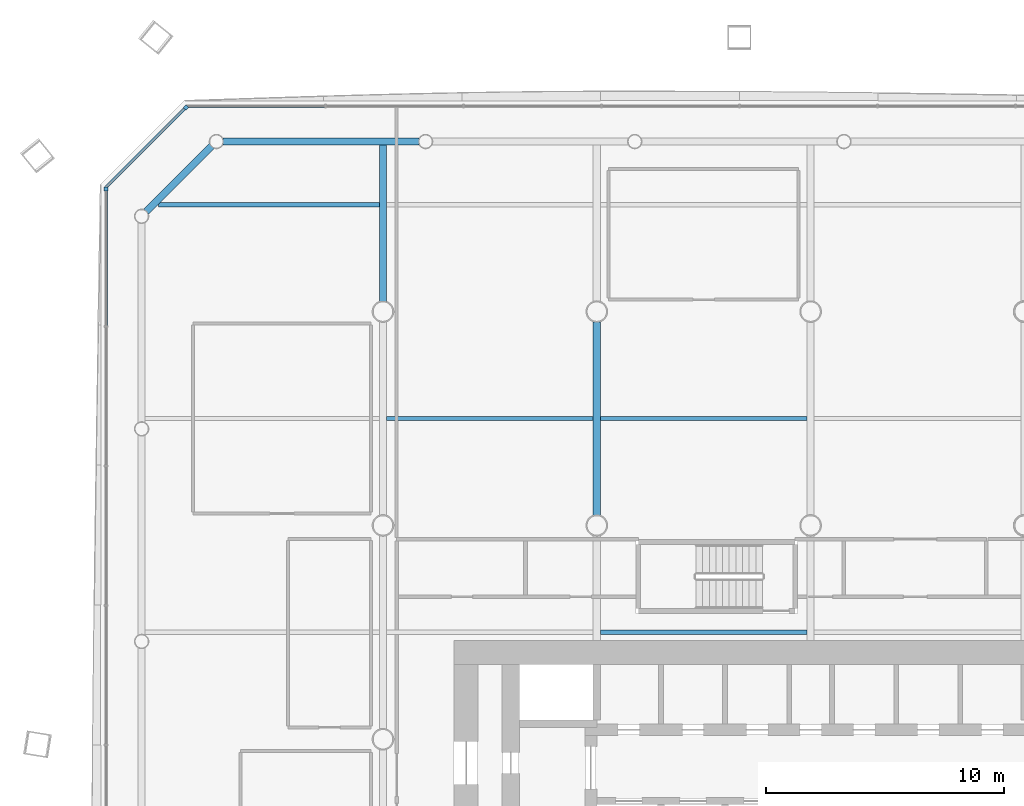
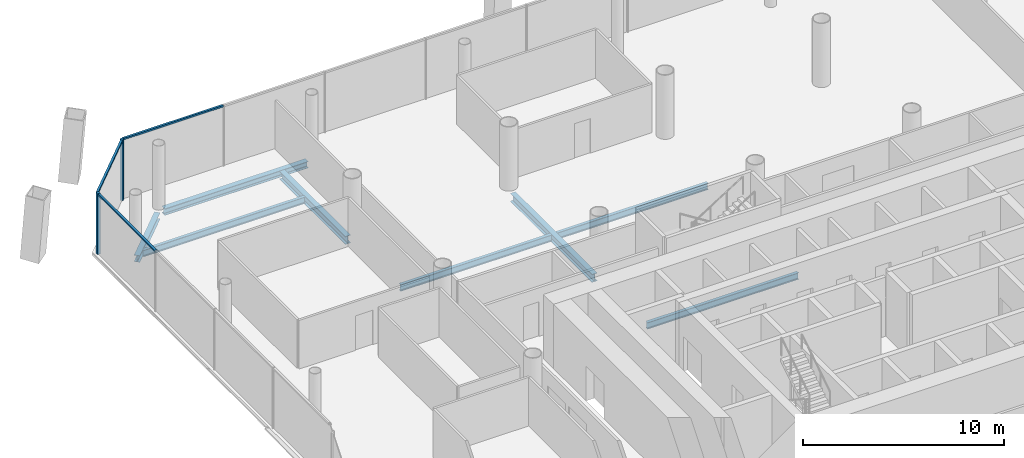
# One storey, part 8 of 21: 8 beams, 5 members, 3 elements without a shape of their own.
"""IFC4 building model written with IfcOpenShell, lengths in metres."""

from ifc_helpers import new_model, si_unit, direction, frame, origin, origin_2d, place, context, subcontext, project, spatial, rectangle, i_section, extrude, material, material_profile, profile_set, type_object, element, aggregate, save


model = new_model("IFC4")

# Units and contexts
model_context = context("Model", 3, precision=1e-05, world=origin(), true_north=direction((0.0, 1.0)))
body_context = subcontext(model_context, "Body", "Model", "MODEL_VIEW")
ifc_project = project(units=[si_unit("LENGTHUNIT", "METRE"), si_unit("AREAUNIT", "SQUARE_METRE"), si_unit("VOLUMEUNIT", "CUBIC_METRE"), si_unit("PLANEANGLEUNIT", "RADIAN"), si_unit("MASSUNIT", "GRAM", prefix="KILO")], contexts=[model_context])

# Site, building, storey
site_placement = place(None, origin())
site = spatial("IfcSite", under=ifc_project, at=site_placement, CompositionType="ELEMENT")
building_placement = place(site_placement, origin())
building = spatial("IfcBuilding", under=site, at=building_placement, Name="Tskaro Facet Tower", CompositionType="ELEMENT")
storey_placement = place(building_placement, frame((0.0, 0.0, 38.10009765625)))
storey = spatial("IfcBuildingStorey", under=building, at=storey_placement, Name="L08", CompositionType="ELEMENT", Elevation=38.10009765625)

# Curtain wall, member
ifc_material_1 = material(Name="Bronze anodised aluminium 6063-T6", Category="aluminium")
curtain_wall_type = type_object("IfcCurtainWallType", Name="Bronze office curtain wall (FW1)", PredefinedType="NOTDEFINED", material=ifc_material_1)
curtain_wall_1_placement = place(storey_placement, origin())
curtain_wall_1 = element("IfcCurtainWall", 1, at=curtain_wall_1_placement, inside=storey, type_object=curtain_wall_type, Name="FW1 north-west facet L08", PredefinedType="NOTDEFINED")
ifc_material_profile_1 = material_profile(ifc_material_1, rectangle(XDim=0.159912109375, YDim=0.159912109375, at=origin_2d()), Name="Corner post 160x160")
ifc_profile_set_1 = profile_set([ifc_material_profile_1], Name="Bronze anodised aluminium 6063-T6")
member_type_1 = type_object("IfcMemberType", Name="FW1 bronze corner post 160x160", PredefinedType="MULLION", material=ifc_profile_set_1)
member_1_placement = place(storey_placement, frame((-26.29150390625, 26.597412109375, 0.0), z_axis=(0.0, 0.0, 1.0), x_axis=(-0.707106781187, -0.707106781187, 0.0)))
member_1 = element("IfcMember", 2, at=member_1_placement, type_object=member_type_1, Name="FW1 north-west corner post", PredefinedType="MULLION", context=body_context, shape_type="SweptSolid", body=[
    extrude(rectangle(XDim=0.159912109375, YDim=0.159912109375, at=origin_2d()), origin(), (0.0, 0.0, 1.0), 3.699951171875),
])

curtain_wall_2_placement = place(storey_placement, origin())
curtain_wall_2 = element("IfcCurtainWall", 3, at=curtain_wall_2_placement, inside=storey, type_object=curtain_wall_type, Name="FW1 west facet L08", PredefinedType="NOTDEFINED")
member_2_placement = place(storey_placement, frame((-29.654052734375, 23.155029296875, 0.0), z_axis=(0.0, 0.0, 1.0), x_axis=(0.0, -1.0, 0.0)))
member_2 = element("IfcMember", 4, at=member_2_placement, type_object=member_type_1, Name="FW1 west corner post", PredefinedType="MULLION", context=body_context, shape_type="SweptSolid", body=[
    extrude(rectangle(XDim=0.159912109375, YDim=0.159912109375, at=origin_2d()), origin(), (0.0, 0.0, 1.0), 3.699951171875),
])

curtain_wall_3_placement = place(storey_placement, origin())
curtain_wall_3 = element("IfcCurtainWall", 5, at=curtain_wall_3_placement, inside=storey, type_object=curtain_wall_type, Name="FW1 north facet L08", PredefinedType="NOTDEFINED")
ifc_material_profile_2 = material_profile(ifc_material_1, rectangle(XDim=0.1201171875, YDim=0.10009765625, at=origin_2d()), Name="Transom 120x100")
ifc_profile_set_2 = profile_set([ifc_material_profile_2], Name="Bronze anodised aluminium 6063-T6")
member_type_2 = type_object("IfcMemberType", Name="FW1 bronze transom 120x100", PredefinedType="USERDEFINED", material=ifc_profile_set_2)
member_3_placement = place(storey_placement, frame((-20.456298828125, 26.654052734375, 3.64990234375), z_axis=(-1.0, 0.0, 0.0), x_axis=(0.0, -1.0, 0.0)))
member_3 = element("IfcMember", 6, at=member_3_placement, type_object=member_type_2, Name="FW1 north transom 8.1", ObjectType="TRANSOM", PredefinedType="USERDEFINED", context=body_context, shape_type="SweptSolid", body=[
    extrude(rectangle(XDim=0.1201171875, YDim=0.10009765625, at=origin_2d()), origin(), (0.0, 0.0, 1.0), 5.77880859375),
])
aggregate(curtain_wall_3, [member_3])

# Member
member_4_placement = place(storey_placement, frame((-26.34814453125, 26.540771484375, 3.64990234375), z_axis=(-0.707132891512, -0.707080669897, 0.0), x_axis=(0.707080669897, -0.707132891512, 0.0)))
member_4 = element("IfcMember", 7, at=member_4_placement, type_object=member_type_2, Name="FW1 north-west transom 1.1", ObjectType="TRANSOM", PredefinedType="USERDEFINED", context=body_context, shape_type="SweptSolid", body=[
    extrude(rectangle(XDim=0.1201171875, YDim=0.10009765625, at=origin_2d()), origin(), (0.0, 0.0, 1.0), 4.675048828125),
])

aggregate(curtain_wall_1, [member_1, member_4])

member_5_placement = place(storey_placement, frame((-29.654052734375, 23.074951171875, 3.64990234375), z_axis=(0.0, -1.0, 0.0), x_axis=(1.0, 0.0, 0.0)))
member_5 = element("IfcMember", 8, at=member_5_placement, type_object=member_type_2, Name="FW1 west transom 1.1", ObjectType="TRANSOM", PredefinedType="USERDEFINED", context=body_context, shape_type="SweptSolid", body=[
    extrude(rectangle(XDim=0.1201171875, YDim=0.10009765625, at=origin_2d()), origin(), (0.0, 0.0, 1.0), 5.678466796875),
])

aggregate(curtain_wall_2, [member_2, member_5])

# Beams
ifc_material_2 = material(Name="Steel S355J2", Category="steel")
ifc_material_profile_3 = material_profile(ifc_material_2, i_section(OverallWidth=0.300048828125, OverallDepth=0.39990234375, WebThickness=0.013427734375, FlangeThickness=0.02392578125, FilletRadius=0.027099609375, at=origin_2d()), Name="HE 400 B")
ifc_profile_set_3 = profile_set([ifc_material_profile_3], Name="Steel S355J2")
beam_type_1 = type_object("IfcBeamType", Name="HE 400 B ring beam", PredefinedType="BEAM", material=ifc_profile_set_3)
beam_1_placement = place(storey_placement, frame((-16.48193359375, 25.156982421875, -0.340087890625), z_axis=(-1.0, 0.0, 0.0), x_axis=(0.0, -1.0, 0.0)))
element("IfcBeam", 9, at=beam_1_placement, inside=storey, type_object=beam_type_1, Name="HE 400 B EB18-1", PredefinedType="BEAM", context=body_context, shape_type="SweptSolid", body=[
    extrude(i_section(OverallWidth=0.300048828125, OverallDepth=0.39990234375, WebThickness=0.013427734375, FlangeThickness=0.02392578125, FilletRadius=0.027099609375, at=origin_2d()), origin(), (0.0, 0.0, 1.0), 8.255126953125),
])
beam_2_placement = place(storey_placement, frame((-25.20654296875, 24.962646484375, -0.340087890625), z_axis=(-0.707106781187, -0.707106781187, 0.0), x_axis=(0.707106781187, -0.707106781187, 0.0)))
element("IfcBeam", 10, at=beam_2_placement, inside=storey, type_object=beam_type_1, Name="HE 400 B EB19-1", PredefinedType="BEAM", context=body_context, shape_type="SweptSolid", body=[
    extrude(i_section(OverallWidth=0.300048828125, OverallDepth=0.39990234375, WebThickness=0.013427734375, FlangeThickness=0.02392578125, FilletRadius=0.027099609375, at=origin_2d()), origin(), (0.0, 0.0, 1.0), 3.897705078125),
])
ifc_material_profile_4 = material_profile(ifc_material_2, i_section(OverallWidth=0.300048828125, OverallDepth=0.489990234375, WebThickness=0.011962890625, FlangeThickness=0.02294921875, FilletRadius=0.027099609375, at=origin_2d()), Name="HE 500 A")
ifc_profile_set_4 = profile_set([ifc_material_profile_4], Name="Steel S355J2")
beam_type_2 = type_object("IfcBeamType", Name="HE 500 A girder", PredefinedType="BEAM", material=ifc_profile_set_4)
beam_3_placement = place(storey_placement, frame((-18.0, 18.42724609375, -0.385009765625), z_axis=(0.0, 1.0, 0.0), x_axis=(-1.0, 0.0, 0.0)))
element("IfcBeam", 11, at=beam_3_placement, inside=storey, type_object=beam_type_2, Name="HE 500 A GB2-6-1", PredefinedType="BEAM", context=body_context, shape_type="SweptSolid", body=[
    extrude(i_section(OverallWidth=0.300048828125, OverallDepth=0.489990234375, WebThickness=0.011962890625, FlangeThickness=0.02294921875, FilletRadius=0.027099609375, at=origin_2d()), origin(), (0.0, 0.0, 1.0), 6.579833984375),
])
beam_4_placement = place(storey_placement, frame((-9.0, 9.42724609375, -0.385009765625), z_axis=(0.0, 1.0, 0.0), x_axis=(-1.0, 0.0, 0.0)))
element("IfcBeam", 12, at=beam_4_placement, inside=storey, type_object=beam_type_2, Name="HE 500 A GB3-4-1", PredefinedType="BEAM", context=body_context, shape_type="SweptSolid", body=[
    extrude(i_section(OverallWidth=0.300048828125, OverallDepth=0.489990234375, WebThickness=0.011962890625, FlangeThickness=0.02294921875, FilletRadius=0.027099609375, at=origin_2d()), origin(), (0.0, 0.0, 1.0), 8.1455078125),
])
ifc_material_profile_5 = material_profile(ifc_material_2, i_section(OverallWidth=0.179931640625, OverallDepth=0.39990234375, WebThickness=0.008544921875, FlangeThickness=0.013427734375, FilletRadius=0.02099609375, at=origin_2d()), Name="IPE 400")
ifc_profile_set_5 = profile_set([ifc_material_profile_5], Name="Steel S355J2")
beam_type_3 = type_object("IfcBeamType", Name="IPE 400 secondary beam", PredefinedType="BEAM", material=ifc_profile_set_5)
for number, where, z_axis, x_axis, name in (
    (13, (-8.85009765625, 4.5, -0.340087890625), (1.0, 0.0, 0.0), (0.0, 1.0, 0.0), "IPE 400 SB4a-3-1"),
    (14, (-17.85009765625, 13.5, -0.340087890625), (1.0, 0.0, 0.0), (0.0, 1.0, 0.0), "IPE 400 SB5a-2-1"),
    (15, (-8.85009765625, 13.5, -0.340087890625), (1.0, 0.0, 0.0), (0.0, 1.0, 0.0), "IPE 400 SB5a-3-1"),
):
    element("IfcBeam", number, at=place(storey_placement, frame(where, z_axis=z_axis, x_axis=x_axis)), inside=storey, type_object=beam_type_3, Name=name, PredefinedType="BEAM", context=body_context, shape_type="SweptSolid", body=[
        extrude(i_section(OverallWidth=0.179931640625, OverallDepth=0.39990234375, WebThickness=0.008544921875, FlangeThickness=0.013427734375, FilletRadius=0.02099609375, at=origin_2d()), origin(), (0.0, 0.0, 1.0), 8.7001953125),
    ])
beam_5_placement = place(storey_placement, frame((-27.45703125, 22.5, -0.340087890625), z_axis=(1.0, 0.0, 0.0), x_axis=(0.0, 1.0, 0.0)))
element("IfcBeam", 16, at=beam_5_placement, inside=storey, type_object=beam_type_3, Name="IPE 400 SB6a-1-1", PredefinedType="BEAM", context=body_context, shape_type="SweptSolid", body=[
    extrude(i_section(OverallWidth=0.179931640625, OverallDepth=0.39990234375, WebThickness=0.008544921875, FlangeThickness=0.013427734375, FilletRadius=0.02099609375, at=origin_2d()), origin(), (0.0, 0.0, 1.0), 9.30712890625),
])

save(model, "model.ifc")
